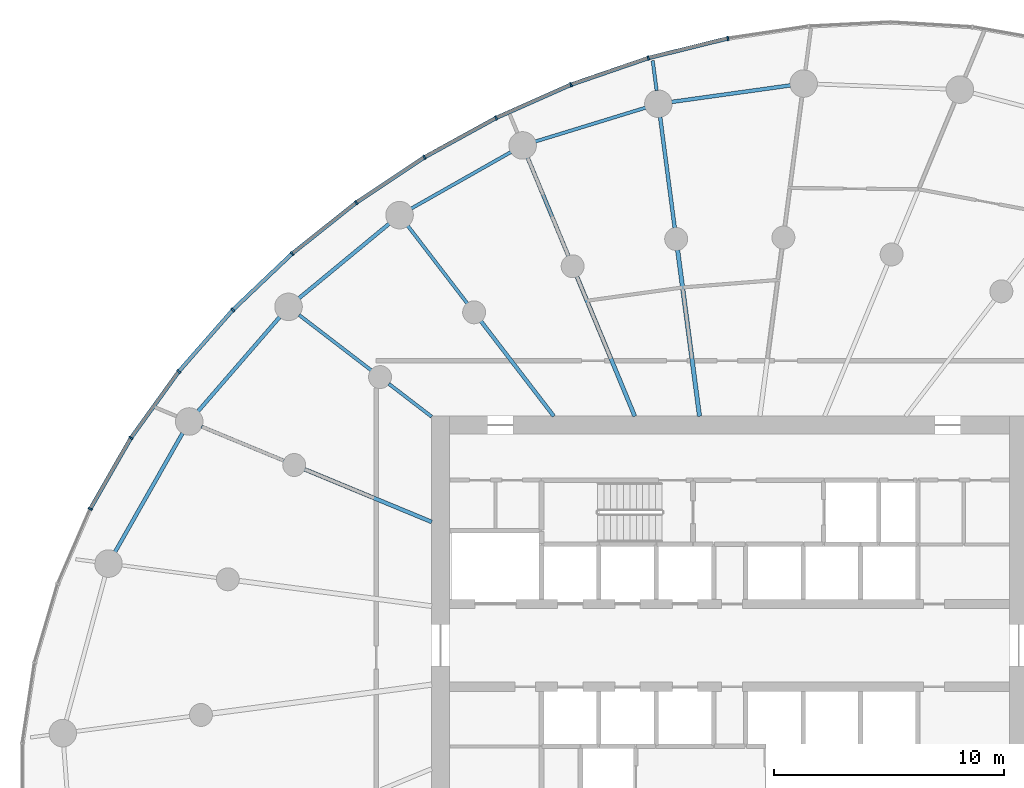
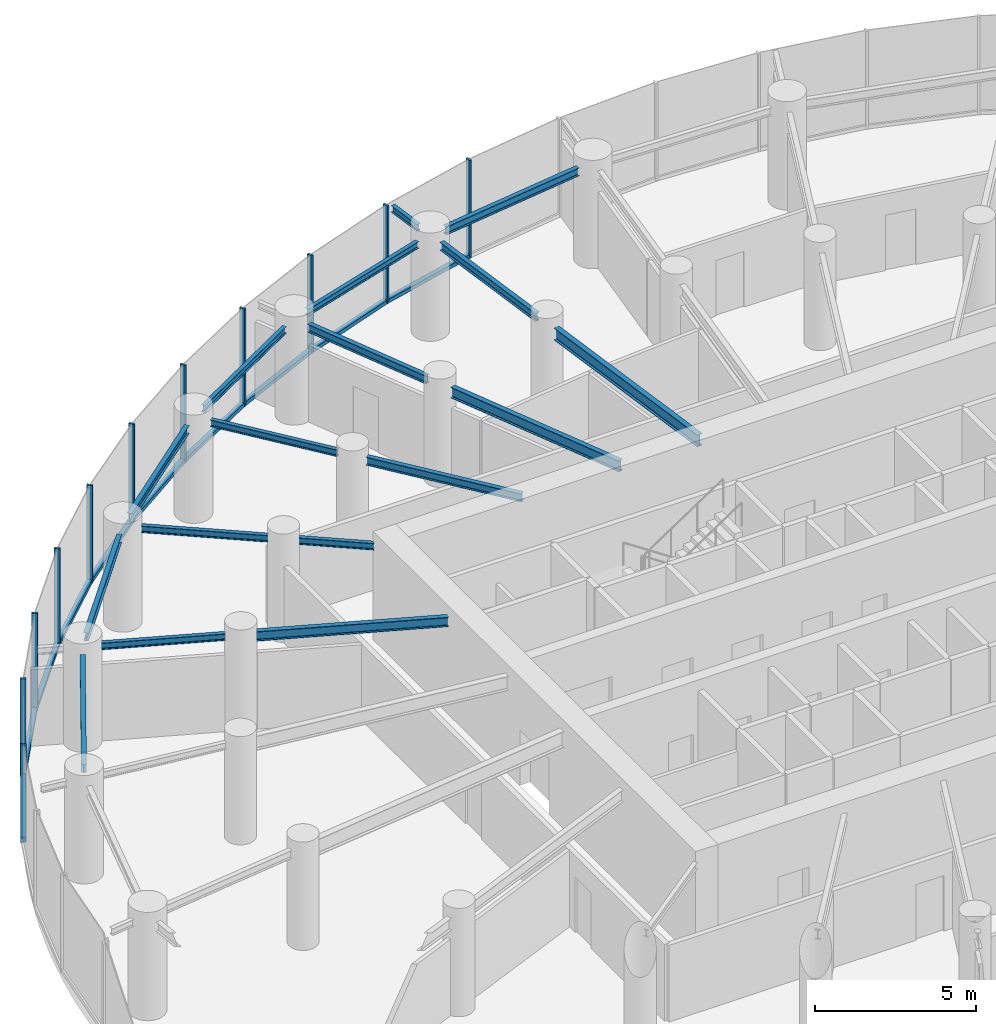
# One storey, part 6 of 17: 21 members, 17 beams, 3 elements without a shape of their own.
"""IFC4 building model written with IfcOpenShell, lengths in metres."""

import ifcopenshell
import ifcopenshell.guid

model = None  # the IFC model being written
_history = None  # IfcOwnerHistory: only IFC2X3 demands one
_inside = {}  # id of a spatial element -> (the spatial element, [elements in it])
_under = {}  # id of a project, library or spatial element -> (it, [spatial elements below it])
_declared = {}  # id of a project -> (the project, [libraries it declares])
_typed = {}  # id of a type object -> (the type object, [elements of that type])
_made_of = {}  # id of a material, layer set ... -> (it, [elements and type objects made of it])


def new_model(schema):
    """Start an empty IFC model of exactly this schema.

    Asked for "IFC4X3", IfcOpenShell would pick the latest addendum, in which some entities
    have other attributes; the version numbers below select the first issue.
    IFC2X3 requires an IfcOwnerHistory on every rooted entity: one is made here for all.
    """
    global model, _history
    if schema == "IFC4X3":
        model = ifcopenshell.file(schema_version=(4, 3, 0, 0))
    else:
        model = ifcopenshell.file(schema=schema)
    _inside.clear()
    _under.clear()
    _declared.clear()
    _typed.clear()
    _made_of.clear()
    _history = None
    if model.schema == "IFC2X3":
        org = make("IfcOrganization", Name="unknown")
        user = make(
            "IfcPersonAndOrganization",
            ThePerson=make("IfcPerson", FamilyName="unknown"),
            TheOrganization=org,
        )
        app = make(
            "IfcApplication",
            ApplicationDeveloper=org,
            Version="unknown",
            ApplicationFullName="unknown",
            ApplicationIdentifier="unknown",
        )
        _history = make(
            "IfcOwnerHistory",
            OwningUser=user,
            OwningApplication=app,
            ChangeAction="ADDED",
            CreationDate=0,
        )
    return model


def make(cls, **values):
    """One entity of the class cls with the attributes given. An attribute that is None is left unset."""
    return model.create_entity(
        cls, **{name: value for name, value in values.items() if value is not None}
    )


def rooted(cls, **values):
    """An entity with a GlobalId (a new one), such as an element, a storey or a relation."""
    return make(cls, GlobalId=ifcopenshell.guid.new(), OwnerHistory=_history, **values)


def si_unit(unit_type, name, prefix=None):
    """IfcSIUnit, for example si_unit("LENGTHUNIT", "METRE", prefix="MILLI")."""
    return make("IfcSIUnit", UnitType=unit_type, Prefix=prefix, Name=name)


def assignment(units):
    """IfcUnitAssignment: the units of a project."""
    return None if units is None else make("IfcUnitAssignment", Units=units)


def point(xyz):
    """IfcCartesianPoint."""
    return None if xyz is None else make("IfcCartesianPoint", Coordinates=xyz)


def direction(xyz):
    """IfcDirection."""
    return None if xyz is None else make("IfcDirection", DirectionRatios=xyz)


def frame(location, z_axis=None, x_axis=None):
    """IfcAxis2Placement3D, a coordinate frame: its origin and axes. An axis left out is left unset."""
    return make(
        "IfcAxis2Placement3D",
        Location=point(location),
        Axis=direction(z_axis),
        RefDirection=direction(x_axis),
    )


def frame_2d(location, x_axis=None):
    """IfcAxis2Placement2D, a coordinate frame in the plane: its origin and x axis."""
    return make(
        "IfcAxis2Placement2D", Location=point(location), RefDirection=direction(x_axis)
    )


def origin():
    """The frame at (0, 0, 0) with its axes left unset."""
    return frame((0.0, 0.0, 0.0))


def origin_2d():
    """The frame at (0, 0) in the plane with its x axis left unset."""
    return frame_2d((0.0, 0.0))


def place(relative_to, where):
    """IfcLocalPlacement: puts the frame where relative to a parent placement (None: the world)."""
    return make(
        "IfcLocalPlacement", PlacementRelTo=relative_to, RelativePlacement=where
    )


def context(
    kind, dimensions, precision=None, world=None, true_north=None, identifier=None
):
    """IfcGeometricRepresentationContext, for example the 3D "Model" context."""
    return make(
        "IfcGeometricRepresentationContext",
        ContextIdentifier=identifier,
        ContextType=kind,
        CoordinateSpaceDimension=dimensions,
        Precision=precision,
        WorldCoordinateSystem=world,
        TrueNorth=true_north,
    )


def subcontext(parent, identifier, kind, view, scale=None):
    """IfcGeometricRepresentationSubContext, for example "Body" below "Model"."""
    return make(
        "IfcGeometricRepresentationSubContext",
        ContextIdentifier=identifier,
        ContextType=kind,
        ParentContext=parent,
        TargetScale=scale,
        TargetView=view,
    )


def project(units=None, contexts=None):
    """IfcProject with its units and contexts."""
    return rooted(
        "IfcProject",
        Name="project",
        RepresentationContexts=contexts,
        UnitsInContext=assignment(units),
    )


def spatial(cls, under=None, at=None, **own):
    """A site, building, storey or space (cls), placed at a placement, below another one or the project."""
    s = rooted(cls, ObjectPlacement=at, **own)
    if under is not None:
        _under.setdefault(under.id(), (under, []))[1].append(s)
    return s


def profile(cls, at=None, kind="AREA", **sizes):
    """A parametric profile (cls). Its sizes go by their IFC names, for example OverallWidth=200.0."""
    return make(cls, ProfileType=kind, Position=at, **sizes)


def rectangle(**sizes):
    """IfcRectangleProfileDef."""
    return profile("IfcRectangleProfileDef", **sizes)


def i_section(**sizes):
    """IfcIShapeProfileDef."""
    return profile("IfcIShapeProfileDef", **sizes)


def extrude(swept, where, along, depth):
    """IfcExtrudedAreaSolid: the profile swept, set in the frame where, extruded along a direction by depth."""
    return make(
        "IfcExtrudedAreaSolid",
        SweptArea=swept,
        Position=where,
        ExtrudedDirection=direction(along),
        Depth=depth,
    )


def shape(context_of_items, identifier, shape_type, items):
    """IfcShapeRepresentation: the items that make up one representation, for example the "Body"."""
    return make(
        "IfcShapeRepresentation",
        ContextOfItems=context_of_items,
        RepresentationIdentifier=identifier,
        RepresentationType=shape_type,
        Items=items,
    )


def source(mapping_origin, context_of_items, identifier, shape_type, items):
    """IfcRepresentationMap: a shape defined once, which mapped items show again and again."""
    return make(
        "IfcRepresentationMap",
        MappingOrigin=mapping_origin,
        MappedRepresentation=shape(context_of_items, identifier, shape_type, items),
    )


def transform(
    local_origin,
    x_axis=None,
    y_axis=None,
    z_axis=None,
    scale=None,
    scale2=None,
    scale3=None,
    uniform=True,
):
    """IfcCartesianTransformationOperator3D, or its non-uniform kind. x_axis, y_axis, z_axis: its Axis1, 2, 3."""
    if uniform:
        return make(
            "IfcCartesianTransformationOperator3D",
            Axis1=direction(x_axis),
            Axis2=direction(y_axis),
            LocalOrigin=point(local_origin),
            Scale=scale,
            Axis3=direction(z_axis),
        )
    return make(
        "IfcCartesianTransformationOperator3DnonUniform",
        Axis1=direction(x_axis),
        Axis2=direction(y_axis),
        LocalOrigin=point(local_origin),
        Scale=scale,
        Axis3=direction(z_axis),
        Scale2=scale2,
        Scale3=scale3,
    )


def mapped(mapping_source, mapping_target):
    """IfcMappedItem: shows the shape of a source again, moved by a transform."""
    return make(
        "IfcMappedItem", MappingSource=mapping_source, MappingTarget=mapping_target
    )


def material(Name=None, Category=None):
    """IfcMaterial."""
    return make("IfcMaterial", Name=Name, Category=Category)


def layer(
    of_material, thickness, ventilated=None, Name=None, Category=None, Priority=None
):
    """IfcMaterialLayer: one layer of a wall or slab, of a material (None: an air gap)."""
    return make(
        "IfcMaterialLayer",
        Material=of_material,
        LayerThickness=thickness,
        IsVentilated=ventilated,
        Name=Name,
        Category=Category,
        Priority=Priority,
    )


def layer_set(layers, Name=None):
    """IfcMaterialLayerSet."""
    return make("IfcMaterialLayerSet", MaterialLayers=layers, LayerSetName=Name)


def material_profile(
    of_material, cross_section, Name=None, Category=None, Priority=None
):
    """IfcMaterialProfile: a cross section and its material."""
    return make(
        "IfcMaterialProfile",
        Name=Name,
        Material=of_material,
        Profile=cross_section,
        Priority=Priority,
        Category=Category,
    )


def profile_set(profiles, Name=None, composite=None):
    """IfcMaterialProfileSet."""
    return make(
        "IfcMaterialProfileSet",
        Name=Name,
        MaterialProfiles=profiles,
        CompositeProfile=composite,
    )


def made_of(thing, what):
    """Note that an element or type object is made of a material, layer set ...; save() writes the relation."""
    if what is not None:
        _made_of.setdefault(what.id(), (what, []))[1].append(thing)
    return thing


def type_object(cls, material=None, **own):
    """A type object (cls), such as IfcWallType, which elements share."""
    return made_of(rooted(cls, **own), material)


def element(
    cls,
    number,
    at=None,
    inside=None,
    cuts=None,
    type_object=None,
    material=None,
    context=None,
    identifier="Body",
    shape_type=None,
    held_by="IfcProductDefinitionShape",
    body=None,
    shapes=None,
    **own,
):
    """One element of the class cls, such as IfcWall. Its Tag is "e" and its number.

    at: its placement. inside: the storey or other place that contains it. cuts: it is an
    opening in that element (IfcRelVoidsElement). A single representation is given by context,
    identifier, shape_type and body (its items); several are given by shapes. held_by: the class
    of the entity that holds the representations. save() writes the other relations.
    """
    e = rooted(cls, Tag="e%d" % number, ObjectPlacement=at, **own)
    if body is not None:
        shapes = [shape(context, identifier, shape_type, body)]
    if shapes is not None:
        e.Representation = make(held_by, Representations=shapes)
    if inside is not None:
        _inside.setdefault(inside.id(), (inside, []))[1].append(e)
    if cuts is not None:
        rooted(
            "IfcRelVoidsElement", RelatingBuildingElement=cuts, RelatedOpeningElement=e
        )
    if type_object is not None:
        _typed.setdefault(type_object.id(), (type_object, []))[1].append(e)
    return made_of(e, material)


def aggregate(whole, parts):
    """IfcRelAggregates: a whole, such as a stair, and the parts it consists of."""
    return rooted("IfcRelAggregates", RelatingObject=whole, RelatedObjects=parts)


def save(model, path):
    """Write the relations noted so far, then the file.

    IfcRelAggregates (storeys below a building ...), IfcRelContainedInSpatialStructure (elements
    in a storey), IfcRelDefinesByType, IfcRelAssociatesMaterial and IfcRelDeclares: one each for
    every whole, place, type object, material and project.
    """
    for whole, parts in _under.values():
        aggregate(whole, parts)
    for where, things in _inside.values():
        rooted(
            "IfcRelContainedInSpatialStructure",
            RelatedElements=things,
            RelatingStructure=where,
        )
    for kind, things in _typed.values():
        rooted("IfcRelDefinesByType", RelatedObjects=things, RelatingType=kind)
    for what, things in _made_of.values():
        rooted("IfcRelAssociatesMaterial", RelatedObjects=things, RelatingMaterial=what)
    for by, libraries in _declared.values():
        rooted("IfcRelDeclares", RelatingContext=by, RelatedDefinitions=libraries)
    model.write(path)


model = new_model("IFC4")

# Units and contexts
model_context = context("Model", 3, precision=1e-05, world=origin(), true_north=direction((0.0, 1.0)))
body_context = subcontext(model_context, "Body", "Model", "MODEL_VIEW")
ifc_project = project(units=[si_unit("LENGTHUNIT", "METRE"), si_unit("AREAUNIT", "SQUARE_METRE"), si_unit("VOLUMEUNIT", "CUBIC_METRE"), si_unit("PLANEANGLEUNIT", "RADIAN"), si_unit("MASSUNIT", "GRAM", prefix="KILO")], contexts=[model_context])

# Site, building, storey
site_placement = place(None, origin())
site = spatial("IfcSite", under=ifc_project, at=site_placement, CompositionType="ELEMENT")
building_placement = place(site_placement, origin())
building = spatial("IfcBuilding", under=site, at=building_placement, Name="Spindrift Exchange Tower", CompositionType="ELEMENT")
storey_placement = place(building_placement, frame((0.0, 0.0, 120.800048828125)))
storey = spatial("IfcBuildingStorey", under=building, at=storey_placement, Name="L28", CompositionType="ELEMENT", Elevation=120.800048828125)

# Beams
ifc_material_1 = material(Name="Steel Grade 300", Category="steel")
ifc_material_profile_1 = material_profile(ifc_material_1, i_section(OverallWidth=0.18994140625, OverallDepth=0.45703125, WebThickness=0.009033203125, FlangeThickness=0.014404296875, FilletRadius=0.013916015625, at=origin_2d()), Name="460UB74.6")
ifc_profile_set_1 = profile_set([ifc_material_profile_1], Name="Steel Grade 300")
beam_type_1 = type_object("IfcBeamType", Name="Floor Beam 460UB74.6 Steel Grade 300", PredefinedType="BEAM", material=ifc_profile_set_1)
shared_shape_1 = source(origin(), body_context, "Body", "SweptSolid", [
    extrude(i_section(OverallWidth=0.18994140625, OverallDepth=0.45703125, WebThickness=0.009033203125, FlangeThickness=0.014404296875, FilletRadius=0.013916015625, at=origin_2d()), origin(), (0.0, 0.0, 1.0), 7.3095703125),
])
beam_1_placement = place(storey_placement, frame((50.68603515625, 57.980224609375, 3.471435546875), z_axis=(-0.130527087244, 0.991444743541, 0.0), x_axis=(-0.991444743541, -0.130527087244, 0.0)))
element("IfcBeam", 1, at=beam_1_placement, inside=storey, type_object=beam_type_1, Name="L28 radial beam R07A", PredefinedType="BEAM", context=body_context, shape_type="MappedRepresentation", body=[
    mapped(shared_shape_1, transform((0.0, 0.0, 0.0), scale=1.0)),
])
ifc_material_profile_2 = material_profile(ifc_material_1, i_section(OverallWidth=0.177978515625, OverallDepth=0.406005859375, WebThickness=0.0078125, FlangeThickness=0.0126953125, FilletRadius=0.013916015625, at=origin_2d()), Name="410UB59.7")
ifc_profile_set_2 = profile_set([ifc_material_profile_2], Name="Steel Grade 300")
beam_type_2 = type_object("IfcBeamType", Name="Floor Beam 410UB59.7 Steel Grade 300", PredefinedType="BEAM", material=ifc_profile_set_2)
shared_shape_2 = source(origin(), body_context, "Body", "SweptSolid", [
    extrude(i_section(OverallWidth=0.177978515625, OverallDepth=0.406005859375, WebThickness=0.0078125, FlangeThickness=0.0126953125, FilletRadius=0.013916015625, at=origin_2d()), origin(), (0.0, 0.0, 1.0), 6.594482421875),
])
beam_2_placement = place(storey_placement, frame((47.865478515625, 57.9814453125, 3.4970703125), z_axis=(-0.382692929746, 0.92387559851, 0.0), x_axis=(-0.92387559851, -0.382692929746, 0.0)))
element("IfcBeam", 2, at=beam_2_placement, inside=storey, type_object=beam_type_2, Name="L28 radial beam R08A", PredefinedType="BEAM", context=body_context, shape_type="MappedRepresentation", body=[
    mapped(shared_shape_2, transform((0.0, 0.0, 0.0), scale=1.0)),
])
ifc_material_profile_3 = material_profile(ifc_material_1, i_section(OverallWidth=0.1650390625, OverallDepth=0.303955078125, WebThickness=0.006103515625, FlangeThickness=0.01025390625, FilletRadius=0.011474609375, at=origin_2d()), Name="310UB40.4")
ifc_profile_set_3 = profile_set([ifc_material_profile_3], Name="Steel Grade 300")
beam_type_3 = type_object("IfcBeamType", Name="Floor Beam 310UB40.4 Steel Grade 300", PredefinedType="BEAM", material=ifc_profile_set_3)
shared_shape_3 = source(origin(), body_context, "Body", "SweptSolid", [
    extrude(i_section(OverallWidth=0.1650390625, OverallDepth=0.303955078125, WebThickness=0.006103515625, FlangeThickness=0.01025390625, FilletRadius=0.011474609375, at=origin_2d()), origin(), (0.0, 0.0, 1.0), 5.224609375),
])
beam_3_placement = place(storey_placement, frame((44.3388671875, 57.984130859375, 3.5478515625), z_axis=(-0.608741499316, 0.793368632485, 0.0), x_axis=(-0.793368632485, -0.608741499316, 0.0)))
element("IfcBeam", 3, at=beam_3_placement, inside=storey, type_object=beam_type_3, Name="L28 radial beam R09A", PredefinedType="BEAM", context=body_context, shape_type="MappedRepresentation", body=[
    mapped(shared_shape_3, transform((0.0, 0.0, 0.0), scale=1.0)),
])
ifc_material_profile_4 = material_profile(ifc_material_1, i_section(OverallWidth=0.14599609375, OverallDepth=0.251953125, WebThickness=0.006103515625, FlangeThickness=0.008544921875, FilletRadius=0.011962890625, at=origin_2d()), Name="250UB31.4")
ifc_profile_set_4 = profile_set([ifc_material_profile_4], Name="Steel Grade 300")
beam_type_4 = type_object("IfcBeamType", Name="Floor Beam 250UB31.4 Steel Grade 300", PredefinedType="BEAM", material=ifc_profile_set_4)
shared_shape_4 = source(origin(), body_context, "Body", "SweptSolid", [
    extrude(i_section(OverallWidth=0.14599609375, OverallDepth=0.251953125, WebThickness=0.006103515625, FlangeThickness=0.008544921875, FilletRadius=0.011962890625, at=origin_2d()), origin(), (0.0, 0.0, 1.0), 2.353759765625),
])
beam_4_placement = place(storey_placement, frame((39.015869140625, 57.963134765625, 3.573974609375), z_axis=(-0.793367573265, 0.608742879787, 0.0), x_axis=(-0.608742879787, -0.793367573265, 0.0)))
element("IfcBeam", 4, at=beam_4_placement, inside=storey, type_object=beam_type_4, Name="L28 radial beam R10A", PredefinedType="BEAM", context=body_context, shape_type="MappedRepresentation", body=[
    mapped(shared_shape_4, transform((0.0, 0.0, 0.0), scale=1.0)),
])
ifc_material_profile_5 = material_profile(ifc_material_1, i_section(OverallWidth=0.172119140625, OverallDepth=0.35888671875, WebThickness=0.008056640625, FlangeThickness=0.012939453125, FilletRadius=0.013916015625, at=origin_2d()), Name="360UB56.7")
ifc_profile_set_5 = profile_set([ifc_material_profile_5], Name="Steel Grade 300")
beam_type_5 = type_object("IfcBeamType", Name="Floor Beam 360UB56.7 Steel Grade 300", PredefinedType="BEAM", material=ifc_profile_set_5)
shared_shape_5 = source(origin(), body_context, "Body", "SweptSolid", [
    extrude(i_section(OverallWidth=0.172119140625, OverallDepth=0.35888671875, WebThickness=0.008056640625, FlangeThickness=0.012939453125, FilletRadius=0.013916015625, at=origin_2d()), origin(), (0.0, 0.0, 1.0), 6.004638671875),
])
beam_5_placement = place(storey_placement, frame((39.0185546875, 53.377197265625, 3.5205078125), z_axis=(-0.923882044911, 0.38267736684, 0.0), x_axis=(-0.38267736684, -0.923882044911, 0.0)))
element("IfcBeam", 5, at=beam_5_placement, inside=storey, type_object=beam_type_5, Name="L28 radial beam R11A", PredefinedType="BEAM", context=body_context, shape_type="MappedRepresentation", body=[
    mapped(shared_shape_5, transform((0.0, 0.0, 0.0), scale=1.0)),
])
shared_shape_6 = source(origin(), body_context, "Body", "SweptSolid", [
    extrude(i_section(OverallWidth=0.1650390625, OverallDepth=0.303955078125, WebThickness=0.006103515625, FlangeThickness=0.01025390625, FilletRadius=0.011474609375, at=origin_2d()), origin(), (0.0, 0.0, 1.0), 4.883056640625),
])
beam_6_placement = place(storey_placement, frame((49.606689453125, 66.17919921875, 3.5478515625), z_axis=(-0.130542457964, 0.991442719812, 0.0), x_axis=(-0.991442719812, -0.130542457964, 0.0)))
element("IfcBeam", 6, at=beam_6_placement, inside=storey, type_object=beam_type_3, Name="L28 radial beam R07B", PredefinedType="BEAM", context=body_context, shape_type="MappedRepresentation", body=[
    mapped(shared_shape_6, transform((0.0, 0.0, 0.0), scale=1.0)),
])
shared_shape_7 = source(origin(), body_context, "Body", "SweptSolid", [
    extrude(i_section(OverallWidth=0.1650390625, OverallDepth=0.303955078125, WebThickness=0.006103515625, FlangeThickness=0.01025390625, FilletRadius=0.011474609375, at=origin_2d()), origin(), (0.0, 0.0, 1.0), 4.63671875),
])
beam_7_placement = place(storey_placement, frame((44.974609375, 64.9609375, 3.5478515625), z_axis=(-0.382692818086, 0.923875644763, 0.0), x_axis=(-0.923875644763, -0.382692818086, 0.0)))
element("IfcBeam", 7, at=beam_7_placement, inside=storey, type_object=beam_type_3, Name="L28 radial beam R08B", PredefinedType="BEAM", context=body_context, shape_type="MappedRepresentation", body=[
    mapped(shared_shape_7, transform((0.0, 0.0, 0.0), scale=1.0)),
])
shared_shape_8 = source(origin(), body_context, "Body", "SweptSolid", [
    extrude(i_section(OverallWidth=0.14599609375, OverallDepth=0.251953125, WebThickness=0.006103515625, FlangeThickness=0.008544921875, FilletRadius=0.011962890625, at=origin_2d()), origin(), (0.0, 0.0, 1.0), 4.27587890625),
])
beam_8_placement = place(storey_placement, frame((40.573974609375, 62.890625, 3.573974609375), z_axis=(-0.608725184746, 0.793381150177, 0.0), x_axis=(-0.793381150177, -0.608725184746, 0.0)))
element("IfcBeam", 8, at=beam_8_placement, inside=storey, type_object=beam_type_4, Name="L28 radial beam R09B", PredefinedType="BEAM", context=body_context, shape_type="MappedRepresentation", body=[
    mapped(shared_shape_8, transform((0.0, 0.0, 0.0), scale=1.0)),
])
shared_shape_9 = source(origin(), body_context, "Body", "SweptSolid", [
    extrude(i_section(OverallWidth=0.14599609375, OverallDepth=0.251953125, WebThickness=0.006103515625, FlangeThickness=0.008544921875, FilletRadius=0.011962890625, at=origin_2d()), origin(), (0.0, 0.0, 1.0), 3.966064453125),
])
beam_9_placement = place(storey_placement, frame((36.38671875, 59.98046875, 3.573974609375), z_axis=(-0.79336256318, 0.608749409318, 0.0), x_axis=(-0.608749409318, -0.79336256318, 0.0)))
element("IfcBeam", 9, at=beam_9_placement, inside=storey, type_object=beam_type_4, Name="L28 radial beam R10B", PredefinedType="BEAM", context=body_context, shape_type="MappedRepresentation", body=[
    mapped(shared_shape_9, transform((0.0, 0.0, 0.0), scale=1.0)),
])
shared_shape_10 = source(origin(), body_context, "Body", "SweptSolid", [
    extrude(i_section(OverallWidth=0.14599609375, OverallDepth=0.251953125, WebThickness=0.006103515625, FlangeThickness=0.008544921875, FilletRadius=0.011962890625, at=origin_2d()), origin(), (0.0, 0.0, 1.0), 3.892333984375),
])
beam_10_placement = place(storey_placement, frame((32.583984375, 56.04248046875, 3.573974609375), z_axis=(-0.923878458273, 0.382686025794, 0.0), x_axis=(-0.382686025794, -0.923878458273, 0.0)))
element("IfcBeam", 10, at=beam_10_placement, inside=storey, type_object=beam_type_4, Name="L28 radial beam R11B", PredefinedType="BEAM", context=body_context, shape_type="MappedRepresentation", body=[
    mapped(shared_shape_10, transform((0.0, 0.0, 0.0), scale=1.0)),
])
ifc_material_profile_6 = material_profile(ifc_material_1, i_section(OverallWidth=0.1650390625, OverallDepth=0.303955078125, WebThickness=0.006103515625, FlangeThickness=0.01025390625, FilletRadius=0.011474609375, at=origin_2d()), Name="310UB40.4")
ifc_profile_set_6 = profile_set([ifc_material_profile_6], Name="Steel Grade 300")
beam_type_6 = type_object("IfcBeamType", Name="Edge Beam 310UB40.4 Steel Grade 300", PredefinedType="SPANDREL", material=ifc_profile_set_6)
shared_shape_11 = source(origin(), body_context, "Body", "SweptSolid", [
    extrude(i_section(OverallWidth=0.1650390625, OverallDepth=0.303955078125, WebThickness=0.006103515625, FlangeThickness=0.01025390625, FilletRadius=0.011474609375, at=origin_2d()), origin(), (0.0, 0.0, 1.0), 5.22998046875),
])
beam_11_placement = place(storey_placement, frame((54.64794921875, 72.396728515625, 3.5478515625), z_axis=(-0.990440078597, -0.137943650481, 0.0), x_axis=(0.137943650481, -0.990440078597, 0.0)))
element("IfcBeam", 11, at=beam_11_placement, inside=storey, type_object=beam_type_6, Name="L28 edge beam E06", PredefinedType="SPANDREL", context=body_context, shape_type="MappedRepresentation", body=[
    mapped(shared_shape_11, transform((0.0, 0.0, 0.0), scale=1.0)),
])
ifc_material_profile_7 = material_profile(ifc_material_1, i_section(OverallWidth=0.14599609375, OverallDepth=0.251953125, WebThickness=0.006103515625, FlangeThickness=0.008544921875, FilletRadius=0.011962890625, at=origin_2d()), Name="250UB31.4")
ifc_profile_set_7 = profile_set([ifc_material_profile_7], Name="Steel Grade 300")
beam_type_7 = type_object("IfcBeamType", Name="Edge Beam 250UB31.4 Steel Grade 300", PredefinedType="SPANDREL", material=ifc_profile_set_7)
shared_shape_12 = source(origin(), body_context, "Body", "SweptSolid", [
    extrude(i_section(OverallWidth=0.14599609375, OverallDepth=0.251953125, WebThickness=0.006103515625, FlangeThickness=0.008544921875, FilletRadius=0.011962890625, at=origin_2d()), origin(), (0.0, 0.0, 1.0), 5.027587890625),
])
beam_12_placement = place(storey_placement, frame((48.339111328125, 71.42529296875, 3.573974609375), z_axis=(-0.956018084082, -0.293307727325, 0.0), x_axis=(0.293307727325, -0.956018084082, 0.0)))
element("IfcBeam", 12, at=beam_12_placement, inside=storey, type_object=beam_type_7, Name="L28 edge beam E07", PredefinedType="SPANDREL", context=body_context, shape_type="MappedRepresentation", body=[
    mapped(shared_shape_12, transform((0.0, 0.0, 0.0), scale=1.0)),
])
shared_shape_13 = source(origin(), body_context, "Body", "SweptSolid", [
    extrude(i_section(OverallWidth=0.14599609375, OverallDepth=0.251953125, WebThickness=0.006103515625, FlangeThickness=0.008544921875, FilletRadius=0.011962890625, at=origin_2d()), origin(), (0.0, 0.0, 1.0), 5.0009765625),
])
beam_13_placement = place(storey_placement, frame((42.4736328125, 69.494384765625, 3.573974609375), z_axis=(-0.870045916697, -0.492970691663, 0.0), x_axis=(0.492970691663, -0.870045916697, 0.0)))
element("IfcBeam", 13, at=beam_13_placement, inside=storey, type_object=beam_type_7, Name="L28 edge beam E08", PredefinedType="SPANDREL", context=body_context, shape_type="MappedRepresentation", body=[
    mapped(shared_shape_13, transform((0.0, 0.0, 0.0), scale=1.0)),
])
shared_shape_14 = source(origin(), body_context, "Body", "SweptSolid", [
    extrude(i_section(OverallWidth=0.1650390625, OverallDepth=0.303955078125, WebThickness=0.006103515625, FlangeThickness=0.01025390625, FilletRadius=0.011474609375, at=origin_2d()), origin(), (0.0, 0.0, 1.0), 5.114501953125),
])
beam_14_placement = place(storey_placement, frame((37.1708984375, 66.373779296875, 3.5478515625), z_axis=(-0.771073837992, -0.63674573918, 0.0), x_axis=(0.63674573918, -0.771073837992, 0.0)))
element("IfcBeam", 14, at=beam_14_placement, inside=storey, type_object=beam_type_6, Name="L28 edge beam E09", PredefinedType="SPANDREL", context=body_context, shape_type="MappedRepresentation", body=[
    mapped(shared_shape_14, transform((0.0, 0.0, 0.0), scale=1.0)),
])
shared_shape_15 = source(origin(), body_context, "Body", "SweptSolid", [
    extrude(i_section(OverallWidth=0.1650390625, OverallDepth=0.303955078125, WebThickness=0.006103515625, FlangeThickness=0.01025390625, FilletRadius=0.011474609375, at=origin_2d()), origin(), (0.0, 0.0, 1.0), 5.448486328125),
])
beam_15_placement = place(storey_placement, frame((32.400390625, 62.3095703125, 3.5478515625), z_axis=(-0.654922008827, -0.755696475018, 0.0), x_axis=(0.755696475018, -0.654922008827, 0.0)))
element("IfcBeam", 15, at=beam_15_placement, inside=storey, type_object=beam_type_6, Name="L28 edge beam E10", PredefinedType="SPANDREL", context=body_context, shape_type="MappedRepresentation", body=[
    mapped(shared_shape_15, transform((0.0, 0.0, 0.0), scale=1.0)),
])
shared_shape_16 = source(origin(), body_context, "Body", "SweptSolid", [
    extrude(i_section(OverallWidth=0.1650390625, OverallDepth=0.303955078125, WebThickness=0.006103515625, FlangeThickness=0.01025390625, FilletRadius=0.011474609375, at=origin_2d()), origin(), (0.0, 0.0, 1.0), 5.9599609375),
])
beam_16_placement = place(storey_placement, frame((28.165771484375, 57.24951171875, 3.5478515625), z_axis=(-0.493940434745, -0.869495742901, 0.0), x_axis=(0.869495742901, -0.493940434745, 0.0)))
element("IfcBeam", 16, at=beam_16_placement, inside=storey, type_object=beam_type_6, Name="L28 edge beam E11", PredefinedType="SPANDREL", context=body_context, shape_type="MappedRepresentation", body=[
    mapped(shared_shape_16, transform((0.0, 0.0, 0.0), scale=1.0)),
])
ifc_material_profile_8 = material_profile(ifc_material_1, i_section(OverallWidth=0.14599609375, OverallDepth=0.251953125, WebThickness=0.006103515625, FlangeThickness=0.008544921875, FilletRadius=0.011962890625, at=origin_2d()), Name="250UB31.4")
ifc_profile_set_8 = profile_set([ifc_material_profile_8], Name="Steel Grade 300")
beam_type_8 = type_object("IfcBeamType", Name="Cantilever Beam 250UB31.4 Steel Grade 300", PredefinedType="BEAM", material=ifc_profile_set_8)
shared_shape_17 = source(origin(), body_context, "Body", "SweptSolid", [
    extrude(i_section(OverallWidth=0.14599609375, OverallDepth=0.251953125, WebThickness=0.006103515625, FlangeThickness=0.008544921875, FilletRadius=0.011962890625, at=origin_2d()), origin(), (0.0, 0.0, 1.0), 1.315673828125),
])
beam_17_placement = place(storey_placement, frame((48.81787109375, 72.17041015625, 3.573974609375), z_axis=(-0.130449712477, 0.991454927122, 0.0), x_axis=(-0.991454927122, -0.130449712477, 0.0)))
element("IfcBeam", 17, at=beam_17_placement, inside=storey, type_object=beam_type_8, Name="L28 cantilever beam R07T", PredefinedType="BEAM", context=body_context, shape_type="MappedRepresentation", body=[
    mapped(shared_shape_17, transform((0.0, 0.0, 0.0), scale=1.0)),
])

# Curtain wall, members
ifc_material_2 = material(Name="Fritted laminated glass with bronze frame", Category="glass")
ifc_layer = layer(ifc_material_2, 0.18994140625)
ifc_layer_set = layer_set([ifc_layer], Name="ZONE 2 BRONZE FRITTED WALL")
curtain_wall_type = type_object("IfcCurtainWallType", Name="ZONE 2 BRONZE FRITTED WALL", PredefinedType="NOTDEFINED", material=ifc_layer_set)
curtain_wall_1_placement = place(storey_placement, origin())
curtain_wall_1 = element("IfcCurtainWall", 18, at=curtain_wall_1_placement, inside=storey, type_object=curtain_wall_type, Name="L28 Zone 2 Bronze Fritted Wall run 2", PredefinedType="NOTDEFINED")
ifc_material_3 = material(Name="Bronze anodised aluminium", Category="aluminium")
ifc_material_profile_9 = material_profile(ifc_material_3, rectangle(XDim=0.074951171875, YDim=0.18994140625, at=origin_2d()), Name="ZONE 2 BRONZE FRITTED WALL MULLION 75X190")
ifc_profile_set_9 = profile_set([ifc_material_profile_9], Name="Bronze anodised aluminium")
member_type_1 = type_object("IfcMemberType", Name="ZONE 2 BRONZE FRITTED WALL MULLION 75X190", PredefinedType="MULLION", material=ifc_profile_set_9)
shared_shape_18 = source(origin(), body_context, "Body", "SweptSolid", [
    extrude(rectangle(XDim=0.074951171875, YDim=0.18994140625, at=origin_2d()), origin(), (0.0, 0.0, 1.0), 3.699951171875),
])
member_1_placement = place(storey_placement, frame((51.919189453125, 74.44482421875, 0.0), z_axis=(0.0, 0.0, 1.0), x_axis=(-0.980919902528, -0.194412306259, 0.0)))
member_1 = element("IfcMember", 19, at=member_1_placement, type_object=member_type_1, Name="L28 mullion CW-2.10", PredefinedType="MULLION", context=body_context, shape_type="MappedRepresentation", body=[
    mapped(shared_shape_18, transform((0.0, 0.0, 0.0), scale=1.0)),
])
member_2_placement = place(storey_placement, frame((48.45703125, 73.5888671875, 0.0), z_axis=(0.0, 0.0, 1.0), x_axis=(-0.959115038423, -0.283016506711, 0.0)))
member_2 = element("IfcMember", 20, at=member_2_placement, type_object=member_type_1, Name="L28 mullion CW-2.11", PredefinedType="MULLION", context=body_context, shape_type="MappedRepresentation", body=[
    mapped(shared_shape_18, transform((0.0, 0.0, 0.0), scale=1.0)),
])
member_3_placement = place(storey_placement, frame((45.08447265625, 72.427978515625, 0.0), z_axis=(0.0, 0.0, 1.0), x_axis=(-0.930652340185, -0.365904662048, 0.0)))
member_3 = element("IfcMember", 21, at=member_3_placement, type_object=member_type_1, Name="L28 mullion CW-2.12", PredefinedType="MULLION", context=body_context, shape_type="MappedRepresentation", body=[
    mapped(shared_shape_18, transform((0.0, 0.0, 0.0), scale=1.0)),
])

curtain_wall_2_placement = place(storey_placement, origin())
curtain_wall_2 = element("IfcCurtainWall", 22, at=curtain_wall_2_placement, inside=storey, type_object=curtain_wall_type, Name="L28 Zone 2 Bronze Fritted Wall run 3", PredefinedType="NOTDEFINED")
member_4_placement = place(storey_placement, frame((41.824462890625, 70.981201171875, 0.0), z_axis=(0.0, 0.0, 1.0), x_axis=(-0.896032251526, -0.443988968585, 0.0)))
member_4 = element("IfcMember", 23, at=member_4_placement, type_object=member_type_1, Name="L28 mullion CW-2.13", PredefinedType="MULLION", context=body_context, shape_type="MappedRepresentation", body=[
    mapped(shared_shape_18, transform((0.0, 0.0, 0.0), scale=1.0)),
])
member_5_placement = place(storey_placement, frame((38.698486328125, 69.263916015625, 0.0), z_axis=(0.0, 0.0, 1.0), x_axis=(-0.855369594848, -0.518018200654, 0.0)))
member_5 = element("IfcMember", 24, at=member_5_placement, type_object=member_type_1, Name="L28 mullion CW-2.14", PredefinedType="MULLION", context=body_context, shape_type="MappedRepresentation", body=[
    mapped(shared_shape_18, transform((0.0, 0.0, 0.0), scale=1.0)),
])
member_6_placement = place(storey_placement, frame((35.728271484375, 67.289306640625, 0.0), z_axis=(0.0, 0.0, 1.0), x_axis=(-0.80842790668, -0.588595208697, 0.0)))
member_6 = element("IfcMember", 25, at=member_6_placement, type_object=member_type_1, Name="L28 mullion CW-2.15", PredefinedType="MULLION", context=body_context, shape_type="MappedRepresentation", body=[
    mapped(shared_shape_18, transform((0.0, 0.0, 0.0), scale=1.0)),
])
member_7_placement = place(storey_placement, frame((32.93701171875, 65.069091796875, 0.0), z_axis=(0.0, 0.0, 1.0), x_axis=(-0.754629326189, -0.656151339292, 0.0)))
member_7 = element("IfcMember", 26, at=member_7_placement, type_object=member_type_1, Name="L28 mullion CW-2.16", PredefinedType="MULLION", context=body_context, shape_type="MappedRepresentation", body=[
    mapped(shared_shape_18, transform((0.0, 0.0, 0.0), scale=1.0)),
])
member_8_placement = place(storey_placement, frame((30.3505859375, 62.61328125, 0.0), z_axis=(0.0, 0.0, 1.0), x_axis=(-0.693104719866, -0.72083690756, 0.0)))
member_8 = element("IfcMember", 27, at=member_8_placement, type_object=member_type_1, Name="L28 mullion CW-2.17", PredefinedType="MULLION", context=body_context, shape_type="MappedRepresentation", body=[
    mapped(shared_shape_18, transform((0.0, 0.0, 0.0), scale=1.0)),
])
member_9_placement = place(storey_placement, frame((27.998291015625, 59.9326171875, 0.0), z_axis=(0.0, 0.0, 1.0), x_axis=(-0.622644730449, -0.782504657906, 0.0)))
member_9 = element("IfcMember", 28, at=member_9_placement, type_object=member_type_1, Name="L28 mullion CW-2.18", PredefinedType="MULLION", context=body_context, shape_type="MappedRepresentation", body=[
    mapped(shared_shape_18, transform((0.0, 0.0, 0.0), scale=1.0)),
])

curtain_wall_3_placement = place(storey_placement, origin())
curtain_wall_3 = element("IfcCurtainWall", 29, at=curtain_wall_3_placement, inside=storey, type_object=curtain_wall_type, Name="L28 Zone 2 Bronze Fritted Wall run 4", PredefinedType="NOTDEFINED")
member_10_placement = place(storey_placement, frame((25.91455078125, 57.038330078125, 0.0), z_axis=(0.0, 0.0, 1.0), x_axis=(-0.541681785437, -0.840583632559, 0.0)))
member_10 = element("IfcMember", 30, at=member_10_placement, type_object=member_type_1, Name="L28 mullion CW-2.19", PredefinedType="MULLION", context=body_context, shape_type="MappedRepresentation", body=[
    mapped(shared_shape_18, transform((0.0, 0.0, 0.0), scale=1.0)),
])
member_11_placement = place(storey_placement, frame((24.139892578125, 53.9453125, 0.0), z_axis=(0.0, 0.0, 1.0), x_axis=(-0.448357493653, -0.893854326994, 0.0)))
member_11 = element("IfcMember", 31, at=member_11_placement, type_object=member_type_1, Name="L28 mullion CW-2.20", PredefinedType="MULLION", context=body_context, shape_type="MappedRepresentation", body=[
    mapped(shared_shape_18, transform((0.0, 0.0, 0.0), scale=1.0)),
])

# Member
ifc_material_profile_10 = material_profile(ifc_material_3, rectangle(XDim=0.169921875, YDim=0.139892578125, at=origin_2d()), Name="ZONE 2 BRONZE FRITTED WALL TRANSOM 170X140")
ifc_profile_set_10 = profile_set([ifc_material_profile_10], Name="Bronze anodised aluminium")
member_type_2 = type_object("IfcMemberType", Name="ZONE 2 BRONZE FRITTED WALL TRANSOM 170X140", PredefinedType="USERDEFINED", material=ifc_profile_set_10)
shared_shape_19 = source(origin(), body_context, "Body", "SweptSolid", [
    extrude(rectangle(XDim=0.169921875, YDim=0.139892578125, at=origin_2d()), origin(), (0.0, 0.0, 1.0), 3.4912109375),
])
member_12_placement = place(storey_placement, frame((27.976318359375, 59.902099609375, 0.070068359375), z_axis=(-0.584277091907, -0.811554237173, 0.0), x_axis=(0.811554237173, -0.584277091907, 0.0)))
member_12 = element("IfcMember", 32, at=member_12_placement, type_object=member_type_2, Name="L28 transom CW-2.18", ObjectType="TRANSOM", PredefinedType="USERDEFINED", context=body_context, shape_type="MappedRepresentation", body=[
    mapped(shared_shape_19, transform((0.0, 0.0, 0.0), scale=1.0)),
])

shared_shape_20 = source(origin(), body_context, "Body", "SweptSolid", [
    extrude(rectangle(XDim=0.169921875, YDim=0.139892578125, at=origin_2d()), origin(), (0.0, 0.0, 1.0), 3.49169921875),
])
member_13_placement = place(storey_placement, frame((45.05029296875, 72.412841796875, 0.070068359375), z_axis=(-0.914013270908, -0.405684286858, 0.0), x_axis=(0.405684286858, -0.914013270908, 0.0)))
member_13 = element("IfcMember", 33, at=member_13_placement, type_object=member_type_2, Name="L28 transom CW-2.12", ObjectType="TRANSOM", PredefinedType="USERDEFINED", context=body_context, shape_type="MappedRepresentation", body=[
    mapped(shared_shape_20, transform((0.0, 0.0, 0.0), scale=1.0)),
])

member_14_placement = place(storey_placement, frame((41.791748046875, 70.963134765625, 0.070068359375), z_axis=(-0.876429872525, -0.481529519911, 0.0), x_axis=(0.481529519911, -0.876429872525, 0.0)))
member_14 = element("IfcMember", 34, at=member_14_placement, type_object=member_type_2, Name="L28 transom CW-2.13", ObjectType="TRANSOM", PredefinedType="USERDEFINED", context=body_context, shape_type="MappedRepresentation", body=[
    mapped(shared_shape_20, transform((0.0, 0.0, 0.0), scale=1.0)),
])

member_15_placement = place(storey_placement, frame((35.698974609375, 67.265869140625, 0.070068359375), z_axis=(-0.782618860217, -0.622501180426, 0.0), x_axis=(0.622501180426, -0.782618860217, 0.0)))
member_15 = element("IfcMember", 35, at=member_15_placement, type_object=member_type_2, Name="L28 transom CW-2.15", ObjectType="TRANSOM", PredefinedType="USERDEFINED", context=body_context, shape_type="MappedRepresentation", body=[
    mapped(shared_shape_20, transform((0.0, 0.0, 0.0), scale=1.0)),
])

member_16_placement = place(storey_placement, frame((32.909912109375, 65.043212890625, 0.070068359375), z_axis=(-0.725222849311, -0.688514211065, 0.0), x_axis=(0.688514211065, -0.725222849311, 0.0)))
member_16 = element("IfcMember", 36, at=member_16_placement, type_object=member_type_2, Name="L28 transom CW-2.16", ObjectType="TRANSOM", PredefinedType="USERDEFINED", context=body_context, shape_type="MappedRepresentation", body=[
    mapped(shared_shape_20, transform((0.0, 0.0, 0.0), scale=1.0)),
])

shared_shape_21 = source(origin(), body_context, "Body", "SweptSolid", [
    extrude(rectangle(XDim=0.169921875, YDim=0.139892578125, at=origin_2d()), origin(), (0.0, 0.0, 1.0), 3.491455078125),
])
member_17_placement = place(storey_placement, frame((51.8828125, 74.435791015625, 0.070068359375), z_axis=(-0.97077670491, -0.239984560344, 0.0), x_axis=(0.239984560344, -0.97077670491, 0.0)))
member_17 = element("IfcMember", 37, at=member_17_placement, type_object=member_type_2, Name="L28 transom CW-2.10", ObjectType="TRANSOM", PredefinedType="USERDEFINED", context=body_context, shape_type="MappedRepresentation", body=[
    mapped(shared_shape_21, transform((0.0, 0.0, 0.0), scale=1.0)),
])

member_18_placement = place(storey_placement, frame((38.667236328125, 69.242919921875, 0.070068359375), z_axis=(-0.832791816853, -0.553586298407, 0.0), x_axis=(0.553586298407, -0.832791816853, 0.0)))
member_18 = element("IfcMember", 38, at=member_18_placement, type_object=member_type_2, Name="L28 transom CW-2.14", ObjectType="TRANSOM", PredefinedType="USERDEFINED", context=body_context, shape_type="MappedRepresentation", body=[
    mapped(shared_shape_21, transform((0.0, 0.0, 0.0), scale=1.0)),
])

member_19_placement = place(storey_placement, frame((30.32568359375, 62.585205078125, 0.070068359375), z_axis=(-0.659523780824, -0.751683698458, 0.0), x_axis=(0.751683698458, -0.659523780824, 0.0)))
member_19 = element("IfcMember", 39, at=member_19_placement, type_object=member_type_2, Name="L28 transom CW-2.17", ObjectType="TRANSOM", PredefinedType="USERDEFINED", context=body_context, shape_type="MappedRepresentation", body=[
    mapped(shared_shape_21, transform((0.0, 0.0, 0.0), scale=1.0)),
])

aggregate(curtain_wall_2, [member_4, member_14, member_5, member_18, member_6, member_15, member_7, member_16, member_8, member_19, member_9, member_12])

shared_shape_22 = source(origin(), body_context, "Body", "SweptSolid", [
    extrude(rectangle(XDim=0.169921875, YDim=0.139892578125, at=origin_2d()), origin(), (0.0, 0.0, 1.0), 3.490966796875),
])
member_20_placement = place(storey_placement, frame((25.895751953125, 57.005859375, 0.070068359375), z_axis=(-0.497644444672, -0.867381119628, 0.0), x_axis=(0.867381119628, -0.497644444672, 0.0)))
member_20 = element("IfcMember", 40, at=member_20_placement, type_object=member_type_2, Name="L28 transom CW-2.19", ObjectType="TRANSOM", PredefinedType="USERDEFINED", context=body_context, shape_type="MappedRepresentation", body=[
    mapped(shared_shape_22, transform((0.0, 0.0, 0.0), scale=1.0)),
])

aggregate(curtain_wall_3, [member_10, member_20, member_11])

shared_shape_23 = source(origin(), body_context, "Body", "SweptSolid", [
    extrude(rectangle(XDim=0.169921875, YDim=0.139892578125, at=origin_2d()), origin(), (0.0, 0.0, 1.0), 3.491943359375),
])
member_21_placement = place(storey_placement, frame((48.421630859375, 73.57666015625, 0.070068359375), z_axis=(-0.945554870547, -0.325462727181, 0.0), x_axis=(0.325462727181, -0.945554870547, 0.0)))
member_21 = element("IfcMember", 41, at=member_21_placement, type_object=member_type_2, Name="L28 transom CW-2.11", ObjectType="TRANSOM", PredefinedType="USERDEFINED", context=body_context, shape_type="MappedRepresentation", body=[
    mapped(shared_shape_23, transform((0.0, 0.0, 0.0), scale=1.0)),
])

aggregate(curtain_wall_1, [member_1, member_17, member_2, member_21, member_3, member_13])

save(model, "model.ifc")
